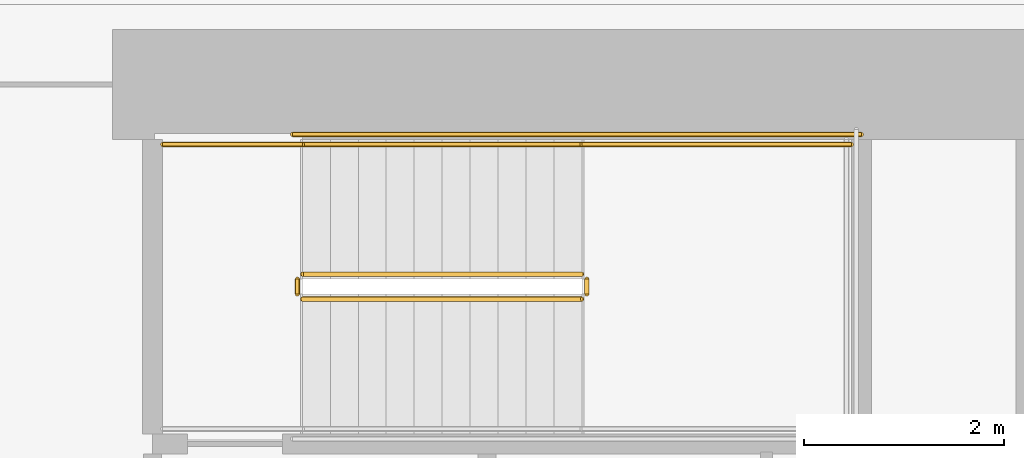
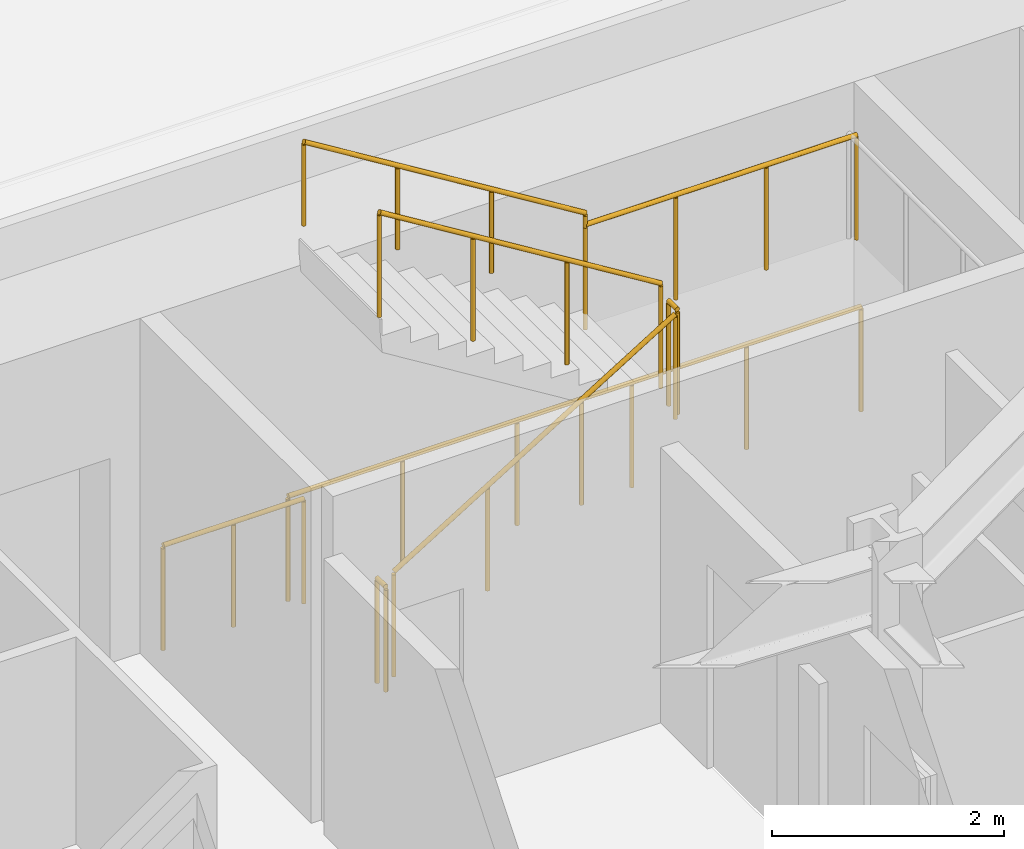
# One storey, part 15 of 17: 8 railings.
"""IFC4 building model written with IfcOpenShell, lengths in metres."""

from ifc_helpers import new_model, si_unit, direction, frame, origin, origin_2d, place, context, subcontext, project, spatial, circle, extrude, material, type_object, element, save


model = new_model("IFC4")

# Units and contexts
model_context = context("Model", 3, precision=1e-05, world=origin(), true_north=direction((0.0, 1.0)))
body_context = subcontext(model_context, "Body", "Model", "MODEL_VIEW")
ifc_project = project(units=[si_unit("LENGTHUNIT", "METRE"), si_unit("AREAUNIT", "SQUARE_METRE"), si_unit("VOLUMEUNIT", "CUBIC_METRE"), si_unit("PLANEANGLEUNIT", "RADIAN"), si_unit("MASSUNIT", "GRAM", prefix="KILO")], contexts=[model_context])

# Site, building, storey
site_placement = place(None, origin())
site = spatial("IfcSite", under=ifc_project, at=site_placement, CompositionType="ELEMENT")
building_placement = place(site_placement, origin())
building = spatial("IfcBuilding", under=site, at=building_placement, Name="Valkerne Bourse Tower", CompositionType="ELEMENT")
storey_placement = place(building_placement, frame((0.0, 0.0, 73.39990234375)))
storey = spatial("IfcBuildingStorey", under=building, at=storey_placement, Name="L18", CompositionType="ELEMENT", Elevation=73.39990234375)

# Railings
ifc_material_1 = material(Name="Galvanised Painted Steel", Category="steel")
railing_type_1 = type_object("IfcRailingType", Name="RLG-ST-GUARD-1120", PredefinedType="GUARDRAIL", material=ifc_material_1)
railing_1_placement = place(storey_placement, frame((48.14990234375, 33.550048828125, 0.1728515625)))
element("IfcRailing", 1, at=railing_1_placement, inside=storey, type_object=railing_type_1, Name="L18 ST-2 stair guard 1", PredefinedType="GUARDRAIL", context=body_context, shape_type="SweptSolid", body=[
    extrude(circle(Radius=0.02392578125, at=origin_2d()), frame((0.0, 0.0, 1.09619140625), z_axis=(0.851089632645, 0.0, 0.525020415988), x_axis=(0.0, 1.0, 0.0)), (0.0, 0.0, 1.0), 3.2900390625),
    extrude(circle(Radius=0.02099609375, at=origin_2d()), origin(), (0.0, 0.0, 1.0), 1.072021484375),
    extrude(circle(Radius=0.02099609375, at=origin_2d()), frame((0.933349609375, 0.0, 0.57568359375)), (0.0, 0.0, 1.0), 1.072021484375),
    extrude(circle(Radius=0.02099609375, at=origin_2d()), frame((1.86669921875, 0.0, 1.151611328125)), (0.0, 0.0, 1.0), 1.072021484375),
    extrude(circle(Radius=0.02099609375, at=origin_2d()), frame((2.800048828125, 0.0, 1.727294921875)), (0.0, 0.0, 1.0), 1.072021484375),
])
railing_2_placement = place(storey_placement, frame((51.0, 33.60009765625, 1.900146484375)))
element("IfcRailing", 2, at=railing_2_placement, inside=storey, type_object=railing_type_1, Name="L18 ST-2 stair guard 2", PredefinedType="GUARDRAIL", context=body_context, shape_type="SweptSolid", body=[
    extrude(circle(Radius=0.02392578125, at=origin_2d()), frame((0.0, 0.0, 1.09619140625), z_axis=(0.0, 1.0, 0.0), x_axis=(-1.0, 0.0, 0.0)), (0.0, 0.0, 1.0), 0.14990234375),
    extrude(circle(Radius=0.02099609375, at=origin_2d()), origin(), (0.0, 0.0, 1.0), 1.072021484375),
    extrude(circle(Radius=0.02099609375, at=origin_2d()), frame((0.0, 0.14990234375, 0.0)), (0.0, 0.0, 1.0), 1.072021484375),
])
railing_3_placement = place(storey_placement, frame((50.949951171875, 35.10009765625, 1.900146484375)))
element("IfcRailing", 3, at=railing_3_placement, inside=storey, type_object=railing_type_1, Name="L18 ST-2 stair guard 4", PredefinedType="GUARDRAIL", context=body_context, shape_type="SweptSolid", body=[
    extrude(circle(Radius=0.02392578125, at=origin_2d()), frame((0.0, 0.0, 1.09619140625), z_axis=(1.0, 0.0, 0.0), x_axis=(0.0, 1.0, 0.0)), (0.0, 0.0, 1.0), 2.699951171875),
    extrude(circle(Radius=0.02099609375, at=origin_2d()), origin(), (0.0, 0.0, 1.0), 1.072021484375),
    extrude(circle(Radius=0.02099609375, at=origin_2d()), frame((0.89990234375, 0.0, 0.0)), (0.0, 0.0, 1.0), 1.072021484375),
    extrude(circle(Radius=0.02099609375, at=origin_2d()), frame((1.800048828125, 0.0, 0.0)), (0.0, 0.0, 1.0), 1.072021484375),
    extrude(circle(Radius=0.02099609375, at=origin_2d()), frame((2.699951171875, 0.0, 0.0)), (0.0, 0.0, 1.0), 1.072021484375),
])
railing_4_placement = place(storey_placement, frame((50.949951171875, 33.800048828125, 2.07275390625)))
element("IfcRailing", 4, at=railing_4_placement, inside=storey, type_object=railing_type_1, Name="L18 ST-2 stair guard 6", PredefinedType="GUARDRAIL", context=body_context, shape_type="SweptSolid", body=[
    extrude(circle(Radius=0.02392578125, at=origin_2d()), frame((0.0, 0.0, 1.09619140625), z_axis=(-0.851089632645, 0.0, 0.525020415988), x_axis=(0.0, -1.0, 0.0)), (0.0, 0.0, 1.0), 3.2900390625),
    extrude(circle(Radius=0.02099609375, at=origin_2d()), origin(), (0.0, 0.0, 1.0), 1.072021484375),
    extrude(circle(Radius=0.02099609375, at=origin_2d()), frame((-0.933349609375, 0.0, 0.57568359375)), (0.0, 0.0, 1.0), 1.072021484375),
    extrude(circle(Radius=0.02099609375, at=origin_2d()), frame((-1.86669921875, 0.0, 1.151611328125)), (0.0, 0.0, 1.0), 1.072021484375),
    extrude(circle(Radius=0.02099609375, at=origin_2d()), frame((-2.800048828125, 0.0, 1.727294921875)), (0.0, 0.0, 1.0), 1.072021484375),
])
railing_5_placement = place(storey_placement, frame((48.10009765625, 33.60009765625, 0.0)))
element("IfcRailing", 5, at=railing_5_placement, inside=storey, type_object=railing_type_1, Name="L18 ST-2 stair guard 7", PredefinedType="GUARDRAIL", context=body_context, shape_type="SweptSolid", body=[
    extrude(circle(Radius=0.02392578125, at=origin_2d()), frame((0.0, 0.0, 1.09619140625), z_axis=(0.0, 1.0, 0.0), x_axis=(-1.0, 0.0, 0.0)), (0.0, 0.0, 1.0), 0.14990234375),
    extrude(circle(Radius=0.02099609375, at=origin_2d()), origin(), (0.0, 0.0, 1.0), 1.072021484375),
    extrude(circle(Radius=0.02099609375, at=origin_2d()), frame((0.0, 0.14990234375, 0.0)), (0.0, 0.0, 1.0), 1.072021484375),
])
railing_6_placement = place(storey_placement, frame((46.75, 35.10009765625, 0.0)))
element("IfcRailing", 6, at=railing_6_placement, inside=storey, type_object=railing_type_1, Name="L18 ST-2 stair guard 9", PredefinedType="GUARDRAIL", context=body_context, shape_type="SweptSolid", body=[
    extrude(circle(Radius=0.02392578125, at=origin_2d()), frame((0.0, 0.0, 1.09619140625), z_axis=(1.0, 0.0, 0.0), x_axis=(0.0, 1.0, 0.0)), (0.0, 0.0, 1.0), 1.39990234375),
    extrude(circle(Radius=0.02099609375, at=origin_2d()), origin(), (0.0, 0.0, 1.0), 1.072021484375),
    extrude(circle(Radius=0.02099609375, at=origin_2d()), frame((0.699951171875, 0.0, 0.0)), (0.0, 0.0, 1.0), 1.072021484375),
    extrude(circle(Radius=0.02099609375, at=origin_2d()), frame((1.39990234375, 0.0, 0.0)), (0.0, 0.0, 1.0), 1.072021484375),
])
railing_7_placement = place(storey_placement, frame((48.050048828125, 35.199951171875, 0.0)))
element("IfcRailing", 7, at=railing_7_placement, inside=storey, type_object=railing_type_1, Name="L18 ST-2 stair guard 11", PredefinedType="GUARDRAIL", context=body_context, shape_type="SweptSolid", body=[
    extrude(circle(Radius=0.02392578125, at=origin_2d()), frame((0.0, 0.0, 1.09619140625), z_axis=(1.0, 0.0, 0.0), x_axis=(0.0, 1.0, 0.0)), (0.0, 0.0, 1.0), 5.699951171875),
    extrude(circle(Radius=0.02099609375, at=origin_2d()), origin(), (0.0, 0.0, 1.0), 1.072021484375),
    extrude(circle(Radius=0.02099609375, at=origin_2d()), frame((1.139892578125, 0.0, 0.0)), (0.0, 0.0, 1.0), 1.072021484375),
    extrude(circle(Radius=0.02099609375, at=origin_2d()), frame((2.280029296875, 0.0, 0.0)), (0.0, 0.0, 1.0), 1.072021484375),
    extrude(circle(Radius=0.02099609375, at=origin_2d()), frame((3.419921875, 0.0, 0.0)), (0.0, 0.0, 1.0), 1.072021484375),
    extrude(circle(Radius=0.02099609375, at=origin_2d()), frame((4.56005859375, 0.0, 0.0)), (0.0, 0.0, 1.0), 1.072021484375),
    extrude(circle(Radius=0.02099609375, at=origin_2d()), frame((5.699951171875, 0.0, 0.0)), (0.0, 0.0, 1.0), 1.072021484375),
])
ifc_material_2 = material(Name="Stainless Steel AISI 316", Category="steel")
railing_type_2 = type_object("IfcRailingType", Name="RLG-ST-HANDRAIL-900", PredefinedType="HANDRAIL", material=ifc_material_2)
railing_8_placement = place(storey_placement, frame((50.949951171875, 35.10009765625, 2.24560546875)))
element("IfcRailing", 8, at=railing_8_placement, inside=storey, type_object=railing_type_2, Name="L18 ST-2 stair handrail 2", PredefinedType="HANDRAIL", context=body_context, shape_type="SweptSolid", body=[
    extrude(circle(Radius=0.02392578125, at=origin_2d()), frame((0.0, 0.0, 0.8759765625), z_axis=(-0.851089632645, 0.0, 0.525020415988), x_axis=(0.0, -1.0, 0.0)), (0.0, 0.0, 1.0), 3.2900390625),
    extrude(circle(Radius=0.02099609375, at=origin_2d()), origin(), (0.0, 0.0, 1.0), 0.851806640625),
    extrude(circle(Radius=0.02099609375, at=origin_2d()), frame((-0.933349609375, 0.0, 0.57568359375)), (0.0, 0.0, 1.0), 0.851806640625),
    extrude(circle(Radius=0.02099609375, at=origin_2d()), frame((-1.86669921875, 0.0, 1.151611328125)), (0.0, 0.0, 1.0), 0.851806640625),
    extrude(circle(Radius=0.02099609375, at=origin_2d()), frame((-2.800048828125, 0.0, 1.727294921875)), (0.0, 0.0, 1.0), 0.851806640625),
])

save(model, "model.ifc")
